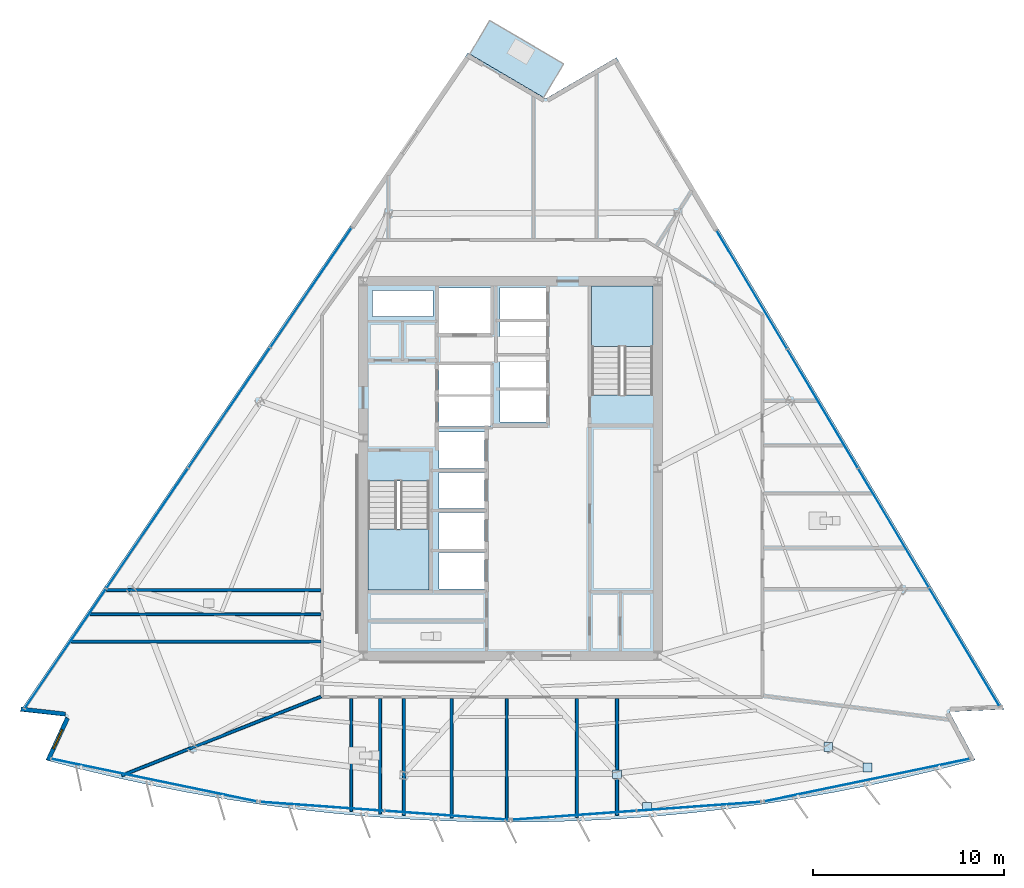
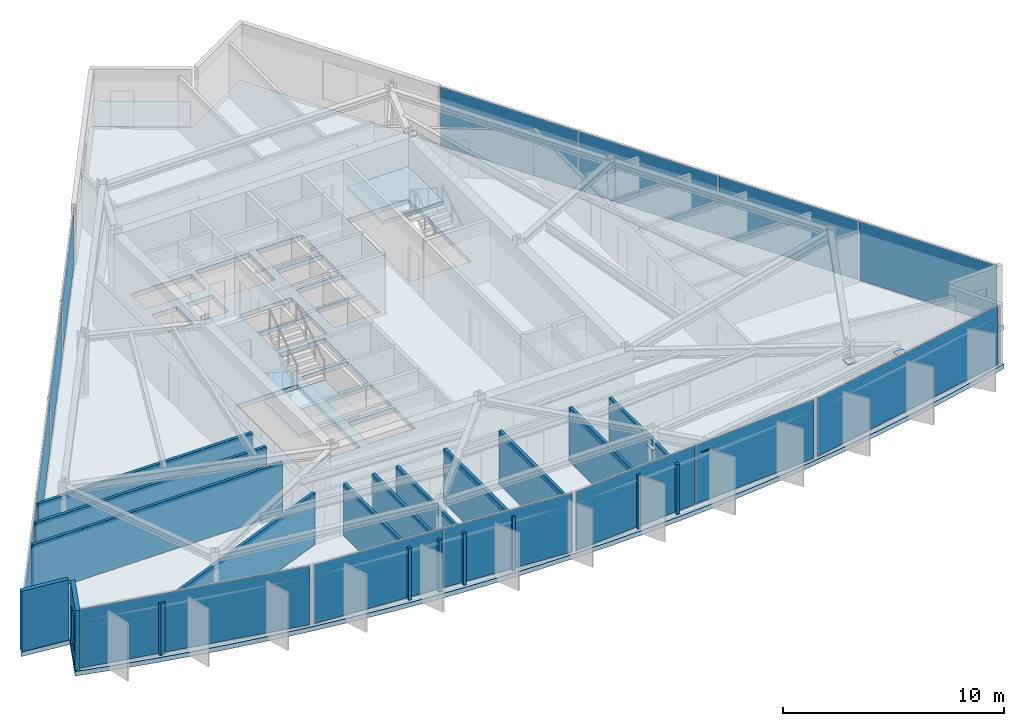
# One storey, part 7 of 15: 18 plates, 13 walls, 4 slabs, 1 window, 1 opening, 8 elements without a shape of their own.
"""IFC4 building model written with IfcOpenShell, lengths in metres."""

from ifc_helpers import new_model, si_unit, direction, frame, frame_2d, origin, origin_2d, place, context, subcontext, project, spatial, polyline, rectangle, outline, extrude, material, layer, layer_set, type_object, element, fill, aggregate, save


model = new_model("IFC4")

# Units and contexts
model_context = context("Model", 3, precision=1e-05, world=origin(), true_north=direction((0.0, 1.0)))
body_context = subcontext(model_context, "Body", "Model", "MODEL_VIEW")
ifc_project = project(units=[si_unit("LENGTHUNIT", "METRE"), si_unit("AREAUNIT", "SQUARE_METRE"), si_unit("VOLUMEUNIT", "CUBIC_METRE"), si_unit("PLANEANGLEUNIT", "RADIAN"), si_unit("MASSUNIT", "GRAM", prefix="KILO")], contexts=[model_context])

# Site, building, storey
site_placement = place(None, origin())
site = spatial("IfcSite", under=ifc_project, at=site_placement, CompositionType="ELEMENT")
building_placement = place(site_placement, origin())
building = spatial("IfcBuilding", under=site, at=building_placement, Name="Savorim Split Tower", CompositionType="ELEMENT")
storey_placement = place(building_placement, frame((0.0, 0.0, 212.699951171875)))
storey = spatial("IfcBuildingStorey", under=building, at=storey_placement, Name="L56", CompositionType="ELEMENT", Elevation=212.699951171875)

# Curtain wall, plate
ifc_material_1 = material(Name="Dark Ceramic-Fritted Insulated Glass", Category="glass")
curtain_wall_type = type_object("IfcCurtainWallType", Name="CW-TWR-FRIT-B", PredefinedType="NOTDEFINED", material=ifc_material_1)
curtain_wall_1_placement = place(storey_placement, origin())
curtain_wall_1 = element("IfcCurtainWall", 1, at=curtain_wall_1_placement, inside=storey, type_object=curtain_wall_type, Name="L56 Curtain Wall CW-L56-SF1", PredefinedType="NOTDEFINED")
ifc_layer_1 = layer(ifc_material_1, 0.02587890625)
ifc_layer_set_1 = layer_set([ifc_layer_1], Name="CWP-FRITB-26")
plate_type_1 = type_object("IfcPlateType", Name="CWP-FRITB-26", PredefinedType="CURTAIN_PANEL", material=ifc_layer_set_1)
plate_1_placement = place(storey_placement, frame((-18.65283203125, -15.901123046875, 0.050048828125), z_axis=(0.0, 0.0, 1.0), x_axis=(0.979135601511, -0.203207957161, 0.0)))
plate_1 = element("IfcPlate", 2, at=plate_1_placement, type_object=plate_type_1, Name="CW-03 panel 1.1", PredefinedType="CURTAIN_PANEL", context=body_context, shape_type="SweptSolid", body=[
    extrude(rectangle(XDim=10.946533203125, YDim=0.02587890625, at=origin_2d()), origin(), (0.0, 0.0, 1.0), 3.25),
])
aggregate(curtain_wall_1, [plate_1])

# Curtain wall, plates
curtain_wall_2_placement = place(storey_placement, origin())
curtain_wall_2 = element("IfcCurtainWall", 3, at=curtain_wall_2_placement, inside=storey, type_object=curtain_wall_type, Name="L56 Curtain Wall CW-L56-SF2", PredefinedType="NOTDEFINED")
plate_2_placement = place(storey_placement, frame((-9.846923828125, -17.275634765625, 0.050048828125), z_axis=(0.0, 0.0, 1.0), x_axis=(0.997436161804, -0.071561883187, 0.0)))
plate_2 = element("IfcPlate", 4, at=plate_2_placement, type_object=plate_type_1, Name="CW-03 panel 1.1", PredefinedType="CURTAIN_PANEL", context=body_context, shape_type="SweptSolid", body=[
    extrude(rectangle(XDim=6.46728515625, YDim=0.02587890625, at=origin_2d()), origin(), (0.0, 0.0, 1.0), 3.25),
])
plate_3_placement = place(storey_placement, frame((-3.33642578125, -17.74267578125, 0.050048828125), z_axis=(0.0, 0.0, 1.0), x_axis=(0.997436161804, -0.071561883187, 0.0)))
plate_3 = element("IfcPlate", 5, at=plate_3_placement, type_object=plate_type_1, Name="CW-03 panel 2.1", PredefinedType="CURTAIN_PANEL", context=body_context, shape_type="SweptSolid", body=[
    extrude(rectangle(XDim=6.46728515625, YDim=0.02587890625, at=origin_2d()), origin(), (0.0, 0.0, 1.0), 3.25),
])
aggregate(curtain_wall_2, [plate_2, plate_3])

curtain_wall_3_placement = place(storey_placement, origin())
curtain_wall_3 = element("IfcCurtainWall", 6, at=curtain_wall_3_placement, inside=storey, type_object=curtain_wall_type, Name="L56 Curtain Wall CW-L56-SF3", PredefinedType="NOTDEFINED")
plate_4_placement = place(storey_placement, frame((3.33642578125, -17.74267578125, 0.050048828125), z_axis=(0.0, 0.0, 1.0), x_axis=(0.997436161804, 0.071561883187, 0.0)))
plate_4 = element("IfcPlate", 7, at=plate_4_placement, type_object=plate_type_1, Name="CW-03 panel 1.1", PredefinedType="CURTAIN_PANEL", context=body_context, shape_type="SweptSolid", body=[
    extrude(rectangle(XDim=6.46728515625, YDim=0.02587890625, at=origin_2d()), origin(), (0.0, 0.0, 1.0), 3.25),
])
plate_5_placement = place(storey_placement, frame((9.846923828125, -17.275634765625, 0.050048828125), z_axis=(0.0, 0.0, 1.0), x_axis=(0.997436161804, 0.071561883187, 0.0)))
plate_5 = element("IfcPlate", 8, at=plate_5_placement, type_object=plate_type_1, Name="CW-03 panel 2.1", PredefinedType="CURTAIN_PANEL", context=body_context, shape_type="SweptSolid", body=[
    extrude(rectangle(XDim=6.46728515625, YDim=0.02587890625, at=origin_2d()), origin(), (0.0, 0.0, 1.0), 3.25),
])
aggregate(curtain_wall_3, [plate_4, plate_5])

# Curtain wall, plate
curtain_wall_4_placement = place(storey_placement, origin())
curtain_wall_4 = element("IfcCurtainWall", 9, at=curtain_wall_4_placement, inside=storey, type_object=curtain_wall_type, Name="L56 Curtain Wall CW-L56-SF4", PredefinedType="NOTDEFINED")
plate_6_placement = place(storey_placement, frame((18.65283203125, -15.901123046875, 0.050048828125), z_axis=(0.0, 0.0, 1.0), x_axis=(0.979135601511, 0.203207957161, 0.0)))
plate_6 = element("IfcPlate", 10, at=plate_6_placement, type_object=plate_type_1, Name="CW-03 panel 1.1", PredefinedType="CURTAIN_PANEL", context=body_context, shape_type="SweptSolid", body=[
    extrude(rectangle(XDim=10.946533203125, YDim=0.02587890625, at=origin_2d()), origin(), (0.0, 0.0, 1.0), 3.25),
])
aggregate(curtain_wall_4, [plate_6])

# Curtain wall, plates
curtain_wall_5_placement = place(storey_placement, origin())
curtain_wall_5 = element("IfcCurtainWall", 11, at=curtain_wall_5_placement, inside=storey, type_object=curtain_wall_type, Name="L56 Curtain Wall CW-L56-EAST", PredefinedType="NOTDEFINED")
plate_7_placement = place(storey_placement, frame((23.739013671875, -8.941162109375, 0.050048828125), z_axis=(0.0, 0.0, 1.0), x_axis=(-0.511092175308, 0.859525909056, 0.0)))
plate_7 = element("IfcPlate", 12, at=plate_7_placement, type_object=plate_type_1, Name="CW-03 panel 1.1", PredefinedType="CURTAIN_PANEL", context=body_context, shape_type="SweptSolid", body=[
    extrude(rectangle(XDim=7.167724609375, YDim=0.02587890625, at=origin_2d()), origin(), (0.0, 0.0, 1.0), 3.25),
])
plate_8_placement = place(storey_placement, frame((20.037353515625, -2.7158203125, 0.050048828125), z_axis=(0.0, 0.0, 1.0), x_axis=(-0.511092175308, 0.859525909056, 0.0)))
plate_8 = element("IfcPlate", 13, at=plate_8_placement, type_object=plate_type_1, Name="CW-03 panel 2.1", PredefinedType="CURTAIN_PANEL", context=body_context, shape_type="SweptSolid", body=[
    extrude(rectangle(XDim=7.19775390625, YDim=0.02587890625, at=origin_2d()), origin(), (0.0, 0.0, 1.0), 3.25),
])
plate_9_placement = place(storey_placement, frame((16.328125, 3.522216796875, 0.050048828125), z_axis=(0.0, 0.0, 1.0), x_axis=(-0.511092175308, 0.859525909056, 0.0)))
plate_9 = element("IfcPlate", 14, at=plate_9_placement, type_object=plate_type_1, Name="CW-03 panel 3.1", PredefinedType="CURTAIN_PANEL", context=body_context, shape_type="SweptSolid", body=[
    extrude(rectangle(XDim=7.19775390625, YDim=0.02587890625, at=origin_2d()), origin(), (0.0, 0.0, 1.0), 3.25),
])
plate_10_placement = place(storey_placement, frame((12.626220703125, 9.74755859375, 0.050048828125), z_axis=(0.0, 0.0, 1.0), x_axis=(-0.511092175308, 0.859525909056, 0.0)))
plate_10 = element("IfcPlate", 15, at=plate_10_placement, type_object=plate_type_1, Name="CW-03 panel 4.1", PredefinedType="CURTAIN_PANEL", context=body_context, shape_type="SweptSolid", body=[
    extrude(rectangle(XDim=7.167724609375, YDim=0.02587890625, at=origin_2d()), origin(), (0.0, 0.0, 1.0), 3.25),
])
aggregate(curtain_wall_5, [plate_7, plate_8, plate_9, plate_10])

curtain_wall_6_placement = place(storey_placement, origin())
curtain_wall_6 = element("IfcCurtainWall", 16, at=curtain_wall_6_placement, inside=storey, type_object=curtain_wall_type, Name="L56 Curtain Wall CW-L56-WEST", PredefinedType="NOTDEFINED")
plate_11_placement = place(storey_placement, frame((-10.436279296875, 9.86181640625, 0.050048828125), z_axis=(0.0, 0.0, 1.0), x_axis=(-0.562465276773, -0.826820907104, 0.0)))
plate_11 = element("IfcPlate", 17, at=plate_11_placement, type_object=plate_type_1, Name="CW-03 panel 1.1", PredefinedType="CURTAIN_PANEL", context=body_context, shape_type="SweptSolid", body=[
    extrude(rectangle(XDim=7.533447265625, YDim=0.02587890625, at=origin_2d()), origin(), (0.0, 0.0, 1.0), 3.25),
])
plate_12_placement = place(storey_placement, frame((-14.7158203125, 3.571044921875, 0.050048828125), z_axis=(0.0, 0.0, 1.0), x_axis=(-0.562465276773, -0.826820907104, 0.0)))
plate_12 = element("IfcPlate", 18, at=plate_12_placement, type_object=plate_type_1, Name="CW-03 panel 2.1", PredefinedType="CURTAIN_PANEL", context=body_context, shape_type="SweptSolid", body=[
    extrude(rectangle(XDim=7.5634765625, YDim=0.02587890625, at=origin_2d()), origin(), (0.0, 0.0, 1.0), 3.25),
])
plate_13_placement = place(storey_placement, frame((-19.003662109375, -2.732421875, 0.050048828125), z_axis=(0.0, 0.0, 1.0), x_axis=(-0.562465276773, -0.826820907104, 0.0)))
plate_13 = element("IfcPlate", 19, at=plate_13_placement, type_object=plate_type_1, Name="CW-03 panel 3.1", PredefinedType="CURTAIN_PANEL", context=body_context, shape_type="SweptSolid", body=[
    extrude(rectangle(XDim=7.5634765625, YDim=0.02587890625, at=origin_2d()), origin(), (0.0, 0.0, 1.0), 3.25),
])
plate_14_placement = place(storey_placement, frame((-23.283203125, -9.023193359375, 0.050048828125), z_axis=(0.0, 0.0, 1.0), x_axis=(-0.562465276773, -0.826820907104, 0.0)))
plate_14 = element("IfcPlate", 20, at=plate_14_placement, type_object=plate_type_1, Name="CW-03 panel 4.1", PredefinedType="CURTAIN_PANEL", context=body_context, shape_type="SweptSolid", body=[
    extrude(rectangle(XDim=7.533447265625, YDim=0.02587890625, at=origin_2d()), origin(), (0.0, 0.0, 1.0), 3.25),
])
aggregate(curtain_wall_6, [plate_11, plate_12, plate_13, plate_14])

# Plates
ifc_material_2 = material(Name="Steel S460", Category="steel")
ifc_layer_2 = layer(ifc_material_2, 0.02490234375)
ifc_layer_set_2 = layer_set([ifc_layer_2], Name="PLT-NODE-CN1")
plate_type_2 = type_object("IfcPlateType", Name="PLT-NODE-CN1", PredefinedType="SHEET", material=ifc_layer_set_2)
for number, where, z_axis, x_axis, name in (
    (21, (5.570068359375, -15.592041015625, 2.4375), (0.0, 0.0, 1.0), (1.0, 0.0, 0.0), "L56 Bay Strut Column Gusset Plate 1"),
    (22, (7.13818359375, -17.294921875, 2.8076171875), (0.0, 0.0, 1.0), (1.0, 0.0, 0.0), "L56 Bay Strut Tip Gusset Plate 1"),
    (23, (16.61962890625, -14.173583984375, 2.4375), (0.0, 0.0, 1.0), (1.0, 0.0, 0.0), "L56 Bay Strut Column Gusset Plate 2"),
    (24, (18.67041015625, -15.2392578125, 2.8076171875), (0.0, 0.0, 1.0), (1.0, 0.0, 0.0), "L56 Bay Strut Tip Gusset Plate 2"),
):
    element("IfcPlate", number, at=place(storey_placement, frame(where, z_axis=z_axis, x_axis=x_axis)), inside=storey, type_object=plate_type_2, Name=name, PredefinedType="SHEET", context=body_context, shape_type="SweptSolid", body=[
        extrude(rectangle(XDim=0.4599609375, YDim=0.4599609375, at=origin_2d()), origin(), (0.0, 0.0, 1.0), 0.02490234375),
    ])

# Slab
ifc_material_3 = material(Name="Concrete C50/60", Category="concrete")
ifc_layer_3 = layer(ifc_material_3, 0.219970703125)
ifc_layer_set_3 = layer_set([ifc_layer_3], Name="SLB-BAL-220")
slab_type_1 = type_object("IfcSlabType", Name="SLB-BAL-220", PredefinedType="FLOOR", material=ifc_layer_set_3)
slab_1_placement = place(storey_placement, frame((0.0, 0.0, -0.219970703125)))
element("IfcSlab", 25, at=slab_1_placement, inside=storey, type_object=slab_type_1, Name="L56 Notched Corner Planted Tree Balcony Slab", PredefinedType="FLOOR", context=body_context, shape_type="SweptSolid", body=[
    extrude(outline(polyline([(-2.126953125, 22.077392578125), (1.739501953125, 19.80517578125), (2.775634765625, 21.568115234375), (-1.0908203125, 23.840576171875), (-2.126953125, 22.077392578125)])), origin(), (0.0, 0.0, 1.0), 0.219970703125),
])

# Stair, slab
stair_type = type_object("IfcStairType", Name="STR-DOG-3600", PredefinedType="HALF_TURN_STAIR", material=ifc_material_3)
stair_1_placement = place(storey_placement, origin())
stair_1 = element("IfcStair", 26, at=stair_1_placement, inside=storey, type_object=stair_type, Name="L56 Core Protected Exit Stair ST-1", PredefinedType="HALF_TURN_STAIR")
ifc_layer_4 = layer(ifc_material_3, 0.199951171875)
ifc_layer_set_4 = layer_set([ifc_layer_4], Name="SLB-LND-200")
slab_type_2 = type_object("IfcSlabType", Name="SLB-LND-200", PredefinedType="LANDING", material=ifc_layer_set_4)
slab_2_placement = place(storey_placement, frame((0.0, 0.0, 1.60009765625)))
slab_2 = element("IfcSlab", 27, at=slab_2_placement, type_object=slab_type_2, Name="ST-1 landing 1", PredefinedType="LANDING", context=body_context, shape_type="SweptSolid", body=[
    extrude(outline(polyline([(-7.449951171875, -2.77001953125), (-7.449951171875, -5.949951171875), (-4.25, -5.949951171875), (-4.25, -2.77001953125), (-7.449951171875, -2.77001953125)])), origin(), (0.0, 0.0, 1.0), 0.199951171875),
])
aggregate(stair_1, [slab_2])

stair_2_placement = place(storey_placement, origin())
stair_2 = element("IfcStair", 28, at=stair_2_placement, inside=storey, type_object=stair_type, Name="L56 Core Protected Exit Stair ST-2", PredefinedType="HALF_TURN_STAIR")
slab_3_placement = place(storey_placement, frame((0.0, 0.0, 1.60009765625)))
slab_3 = element("IfcSlab", 29, at=slab_3_placement, type_object=slab_type_2, Name="ST-2 landing 1", PredefinedType="LANDING", context=body_context, shape_type="SweptSolid", body=[
    extrude(outline(polyline([(7.449951171875, 6.77001953125), (7.449951171875, 9.949951171875), (4.25, 9.949951171875), (4.25, 6.77001953125), (7.449951171875, 6.77001953125)])), origin(), (0.0, 0.0, 1.0), 0.199951171875),
])
aggregate(stair_2, [slab_3])

# Slab
ifc_layer_5 = layer(ifc_material_3, 0.25)
ifc_layer_set_5 = layer_set([ifc_layer_5], Name="SLB-TWR-250")
slab_type_3 = type_object("IfcSlabType", Name="SLB-TWR-250", PredefinedType="FLOOR", material=ifc_layer_set_5)
slab_4_placement = place(storey_placement, frame((0.0, 0.0, -0.25)))
element("IfcSlab", 30, at=slab_4_placement, inside=storey, type_object=slab_type_3, Name="L56 Structural Floor Slab", PredefinedType="FLOOR", context=body_context, shape_type="SweptSolid", body=[
    extrude(outline(polyline([(-24.310302734375, -14.849609375), (-22.479736328125, -15.328369140625), (-20.6396484375, -15.76953125), (-18.791015625, -16.173095703125), (-16.934326171875, -16.53857421875), (-15.070556640625, -16.865966796875), (-13.20068359375, -17.1552734375), (-11.3251953125, -17.40625), (-9.44482421875, -17.618896484375), (-7.560546875, -17.792724609375), (-5.673095703125, -17.92822265625), (-3.783447265625, -18.02490234375), (-1.89208984375, -18.0830078125), (0.0, -18.102294921875), (1.89208984375, -18.0830078125), (3.783447265625, -18.02490234375), (5.673095703125, -17.92822265625), (7.560546875, -17.792724609375), (9.44482421875, -17.618896484375), (11.3251953125, -17.40625), (13.20068359375, -17.1552734375), (15.070556640625, -16.865966796875), (16.934326171875, -16.53857421875), (18.791015625, -16.173095703125), (20.6396484375, -15.76953125), (22.479736328125, -15.328369140625), (24.310302734375, -14.849609375), (22.95458984375, -12.32275390625), (25.81689453125, -12.200927734375), (5.54150390625, 21.897216796875), (1.84033203125, 19.739990234375), (-2.23291015625, 22.134033203125), (-25.65869140625, -12.3017578125), (-23.2626953125, -12.569091796875), (-24.310302734375, -14.849609375)]), holes=[polyline([(-7.449951171875, -0.25390625), (-7.449951171875, -5.949951171875), (-4.25, -5.949951171875), (-4.25, -0.25390625), (-7.449951171875, -0.25390625)]), polyline([(7.449951171875, 4.25390625), (7.449951171875, 9.949951171875), (4.25, 9.949951171875), (4.25, 4.25390625), (7.449951171875, 4.25390625)]), polyline([(-3.75, -5.89990234375), (-1.35009765625, -5.89990234375), (-1.35009765625, -4.0), (-3.75, -4.0), (-3.75, -5.89990234375)]), polyline([(-3.75, -3.800048828125), (-1.35009765625, -3.800048828125), (-1.35009765625, -1.89990234375), (-3.75, -1.89990234375), (-3.75, -3.800048828125)]), polyline([(-3.75, -1.699951171875), (-1.35009765625, -1.699951171875), (-1.35009765625, 0.199951171875), (-3.75, 0.199951171875), (-3.75, -1.699951171875)]), polyline([(-3.75, 0.39990234375), (-1.35009765625, 0.39990234375), (-1.35009765625, 2.300048828125), (-3.75, 2.300048828125), (-3.75, 0.39990234375)]), polyline([(-0.550048828125, 2.830078125), (1.85009765625, 2.830078125), (1.85009765625, 4.469970703125), (-0.550048828125, 4.469970703125), (-0.550048828125, 2.830078125)]), polyline([(-0.550048828125, 4.6298828125), (1.85009765625, 4.6298828125), (1.85009765625, 6.27001953125), (-0.550048828125, 6.27001953125), (-0.550048828125, 4.6298828125)]), polyline([(-0.550048828125, 6.429931640625), (1.85009765625, 6.429931640625), (1.85009765625, 8.070068359375), (-0.550048828125, 8.070068359375), (-0.550048828125, 6.429931640625)]), polyline([(-0.550048828125, 8.22998046875), (1.85009765625, 8.22998046875), (1.85009765625, 9.8701171875), (-0.550048828125, 9.8701171875), (-0.550048828125, 8.22998046875)]), polyline([(-3.75, 2.60009765625), (-1.050048828125, 2.60009765625), (-1.050048828125, 4.159912109375), (-3.75, 4.159912109375), (-3.75, 2.60009765625)]), polyline([(-3.75, 4.280029296875), (-1.050048828125, 4.280029296875), (-1.050048828125, 5.840087890625), (-3.75, 5.840087890625), (-3.75, 4.280029296875)]), polyline([(-3.75, 7.449951171875), (-0.949951171875, 7.449951171875), (-0.949951171875, 9.85009765625), (-3.75, 9.85009765625), (-3.75, 7.449951171875)]), polyline([(-7.219970703125, 6.320068359375), (-5.919921875, 6.320068359375), (-5.919921875, 7.820068359375), (-7.219970703125, 7.820068359375), (-7.219970703125, 6.320068359375)]), polyline([(-5.3798828125, 6.320068359375), (-4.050048828125, 6.320068359375), (-4.050048828125, 7.820068359375), (-5.3798828125, 7.820068359375), (-5.3798828125, 6.320068359375)]), polyline([(-7.219970703125, 8.360107421875), (-4.050048828125, 8.360107421875), (-4.050048828125, 9.719970703125), (-7.219970703125, 9.719970703125), (-7.219970703125, 8.360107421875)])]), origin(), (0.0, 0.0, 1.0), 0.25),
])

# Wall
ifc_material_4 = material(Name="Precast concrete C40/50", Category="concrete")
ifc_layer_6 = layer(ifc_material_4, 0.219970703125)
ifc_layer_set_6 = layer_set([ifc_layer_6], Name="WAL-EXT-CRN220")
wall_type_1 = type_object("IfcWallType", Name="WAL-EXT-CRN220", PredefinedType="SOLIDWALL", material=ifc_layer_set_6)
wall_1_placement = place(storey_placement, frame((-23.2890625, -12.445556640625, 0.0), z_axis=(0.0, 0.0, 1.0), x_axis=(-0.993829972675, 0.110914315635, 0.0)))
element("IfcWall", 31, at=wall_1_placement, inside=storey, type_object=wall_type_1, Name="L56 Notched Corner Facade Wall SW1", PredefinedType="SOLIDWALL", context=body_context, shape_type="SweptSolid", body=[
    extrude(rectangle(XDim=2.3310546875, YDim=0.219970703125, at=frame_2d((1.16552734375, 0.0))), origin(), (0.0, 0.0, 1.0), 3.35009765625),
])

# Wall, opening, window
wall_2_placement = place(storey_placement, frame((-24.184814453125, -14.86328125, 0.0), z_axis=(0.0, 0.0, 1.0), x_axis=(0.417509141111, 0.90867272276, 0.0)))
wall_2 = element("IfcWall", 32, at=wall_2_placement, inside=storey, type_object=wall_type_1, Name="L56 Notched Corner Facade Wall SW", PredefinedType="SOLIDWALL", context=body_context, shape_type="SweptSolid", body=[
    extrude(rectangle(XDim=2.4296875, YDim=0.219970703125, at=frame_2d((1.21484375, 0.0))), origin(), (0.0, 0.0, 1.0), 3.35009765625),
])
opening_placement = place(wall_2_placement, frame((0.664794921875, 0.0, 0.6201171875)))
opening = element("IfcOpeningElement", 33, at=opening_placement, cuts=wall_2, Name="Opening WN-09", PredefinedType="OPENING", context=body_context, shape_type="SweptSolid", body=[
    extrude(rectangle(XDim=1.10009765625, YDim=1.800048828125, at=frame_2d((0.550048828125, 0.89990234375))), frame((0.0, 0.119873046875, 0.0), z_axis=(0.0, -1.0, 0.0), x_axis=(1.0, 0.0, 0.0)), (0.0, 0.0, 1.0), 0.239990234375),
])
ifc_material_5 = material(Name="Low-E Operable Double Glazing", Category="glass")
window_type = type_object("IfcWindowType", Name="WIN-TWR-1100x1800", PartitioningType="SINGLE_PANEL", PredefinedType="WINDOW", material=ifc_material_5)
window_placement = place(opening_placement, origin())
window = element("IfcWindow", 34, at=window_placement, inside=storey, type_object=window_type, Name="L56 Operable Corner Window SW", OverallHeight=1.800048828125, OverallWidth=1.10009765625, PartitioningType="SINGLE_PANEL", PredefinedType="WINDOW", context=body_context, shape_type="SweptSolid", body=[
    extrude(rectangle(XDim=1.10009765625, YDim=1.800048828125, at=frame_2d((0.550048828125, 0.89990234375))), frame((0.0, 0.030029296875, 0.0), z_axis=(0.0, -1.0, 0.0), x_axis=(1.0, 0.0, 0.0)), (0.0, 0.0, 1.0), 0.06005859375),
])
fill(opening, window)

# Walls
ifc_material_6 = material(Name="Acoustic Gypsum Partition Board")
ifc_layer_7 = layer(ifc_material_6, 0.14990234375)
ifc_layer_set_7 = layer_set([ifc_layer_7], Name="WAL-PAR-150")
wall_type_2 = type_object("IfcWallType", Name="WAL-PAR-150", PredefinedType="PARTITIONING", material=ifc_layer_set_7)
wall_3_placement = place(storey_placement, frame((-9.9091796875, -11.533447265625, 0.0), z_axis=(0.0, 0.0, 1.0), x_axis=(-0.929796369929, -0.368074327367, 0.0)))
element("IfcWall", 35, at=wall_3_placement, inside=storey, type_object=wall_type_2, Name="L56 Partition W-L56-PRAD01", PredefinedType="PARTITIONING", context=body_context, shape_type="SweptSolid", body=[
    extrude(rectangle(XDim=11.215576171875, YDim=0.14990234375, at=frame_2d((5.60791015625, 0.0))), origin(), (0.0, 0.0, 1.0), 2.875),
])
wall_4_placement = place(storey_placement, frame((-5.57470703125, -11.6201171875, 0.0), z_axis=(0.0, 0.0, 1.0), x_axis=(0.0, -1.0, 0.0)))
element("IfcWall", 36, at=wall_4_placement, inside=storey, type_object=wall_type_2, Name="L56 Partition W-L56-PRAD02", PredefinedType="PARTITIONING", context=body_context, shape_type="SweptSolid", body=[
    extrude(rectangle(XDim=6.142822265625, YDim=0.14990234375, at=frame_2d((3.0712890625, 0.0))), origin(), (0.0, 0.0, 1.0), 2.875),
])
wall_5_placement = place(storey_placement, frame((5.57470703125, -11.6201171875, 0.0), z_axis=(0.0, 0.0, 1.0), x_axis=(0.0, -1.0, 0.0)))
element("IfcWall", 37, at=wall_5_placement, inside=storey, type_object=wall_type_2, Name="L56 Partition W-L56-PRAD03", PredefinedType="PARTITIONING", context=body_context, shape_type="SweptSolid", body=[
    extrude(rectangle(XDim=6.142822265625, YDim=0.14990234375, at=frame_2d((3.0712890625, 0.0))), origin(), (0.0, 0.0, 1.0), 2.775146484375),
])
wall_6_placement = place(storey_placement, frame((-9.919921875, -5.9619140625, 0.0), z_axis=(0.0, 0.0, 1.0), x_axis=(-1.0, 0.0, 0.0)))
element("IfcWall", 38, at=wall_6_placement, inside=storey, type_object=wall_type_2, Name="L56 Partition W-L56-PRAD10", PredefinedType="PARTITIONING", context=body_context, shape_type="SweptSolid", body=[
    extrude(rectangle(XDim=11.22021484375, YDim=0.14990234375, at=frame_2d((5.610107421875, 0.0))), origin(), (0.0, 0.0, 1.0), 2.824951171875),
])
wall_7_placement = place(storey_placement, frame((-9.919921875, -8.658447265625, 0.0), z_axis=(0.0, 0.0, 1.0), x_axis=(-1.0, 0.0, 0.0)))
element("IfcWall", 39, at=wall_7_placement, inside=storey, type_object=wall_type_2, Name="L56 Partition W-L56-SUB01", PredefinedType="PARTITIONING", context=body_context, shape_type="SweptSolid", body=[
    extrude(rectangle(XDim=13.0546875, YDim=0.14990234375, at=frame_2d((6.52734375, 0.0))), origin(), (0.0, 0.0, 1.0), 2.824951171875),
])
wall_8_placement = place(storey_placement, frame((-8.330810546875, -11.6201171875, 0.0), z_axis=(0.0, 0.0, 1.0), x_axis=(0.0, -1.0, 0.0)))
element("IfcWall", 40, at=wall_8_placement, inside=storey, type_object=wall_type_2, Name="L56 Partition W-L56-SUB02", PredefinedType="PARTITIONING", context=body_context, shape_type="SweptSolid", body=[
    extrude(rectangle(XDim=5.930908203125, YDim=0.14990234375, at=frame_2d((2.96533203125, 0.0))), origin(), (0.0, 0.0, 1.0), 2.875),
])
wall_9_placement = place(storey_placement, frame((-0.195068359375, -11.6201171875, 0.0), z_axis=(0.0, 0.0, 1.0), x_axis=(0.0, -1.0, 0.0)))
element("IfcWall", 41, at=wall_9_placement, inside=storey, type_object=wall_type_2, Name="L56 Partition W-L56-SUB03", PredefinedType="PARTITIONING", context=body_context, shape_type="SweptSolid", body=[
    extrude(rectangle(XDim=6.310302734375, YDim=0.14990234375, at=frame_2d((3.1552734375, 0.0))), origin(), (0.0, 0.0, 1.0), 2.965087890625),
])
wall_10_placement = place(storey_placement, frame((-9.919921875, -7.222412109375, 0.0), z_axis=(0.0, 0.0, 1.0), x_axis=(-1.0, 0.0, 0.0)))
element("IfcWall", 42, at=wall_10_placement, inside=storey, type_object=wall_type_2, Name="L56 Partition W-L56-SUB06", PredefinedType="PARTITIONING", context=body_context, shape_type="SweptSolid", body=[
    extrude(rectangle(XDim=12.077880859375, YDim=0.14990234375, at=frame_2d((6.0390625, 0.0))), origin(), (0.0, 0.0, 1.0), 2.824951171875),
])
wall_11_placement = place(storey_placement, frame((-6.817626953125, -11.6201171875, 0.0), z_axis=(0.0, 0.0, 1.0), x_axis=(0.0, -1.0, 0.0)))
element("IfcWall", 43, at=wall_11_placement, inside=storey, type_object=wall_type_2, Name="L56 Partition W-L56-SUB07", PredefinedType="PARTITIONING", context=body_context, shape_type="SweptSolid", body=[
    extrude(rectangle(XDim=6.0556640625, YDim=0.14990234375, at=frame_2d((3.02783203125, 0.0))), origin(), (0.0, 0.0, 1.0), 2.875),
])
wall_12_placement = place(storey_placement, frame((-3.079833984375, -11.6201171875, 0.0), z_axis=(0.0, 0.0, 1.0), x_axis=(0.0, -1.0, 0.0)))
element("IfcWall", 44, at=wall_12_placement, inside=storey, type_object=wall_type_2, Name="L56 Partition W-L56-SUB08", PredefinedType="PARTITIONING", context=body_context, shape_type="SweptSolid", body=[
    extrude(rectangle(XDim=6.25634765625, YDim=0.14990234375, at=frame_2d((3.128173828125, 0.0))), origin(), (0.0, 0.0, 1.0), 2.97509765625),
])
wall_13_placement = place(storey_placement, frame((3.474853515625, -11.6201171875, 0.0), z_axis=(0.0, 0.0, 1.0), x_axis=(0.0, -1.0, 0.0)))
element("IfcWall", 45, at=wall_13_placement, inside=storey, type_object=wall_type_2, Name="L56 Partition W-L56-SUB09", PredefinedType="PARTITIONING", context=body_context, shape_type="SweptSolid", body=[
    extrude(rectangle(XDim=6.244384765625, YDim=0.14990234375, at=frame_2d((3.1220703125, 0.0))), origin(), (0.0, 0.0, 1.0), 2.97509765625),
])

save(model, "model.ifc")
